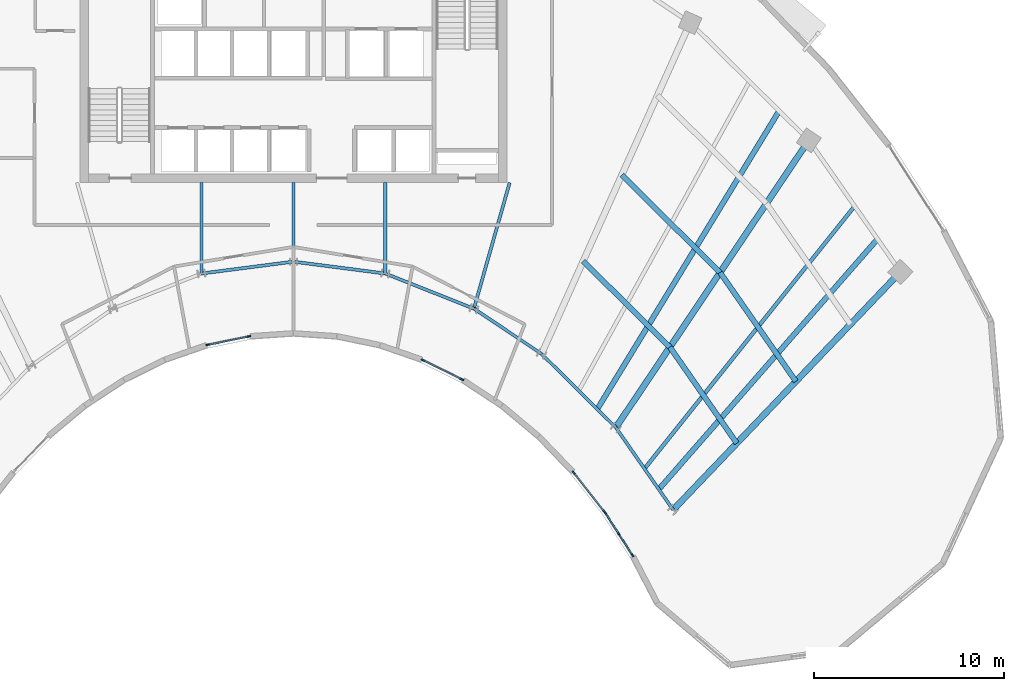
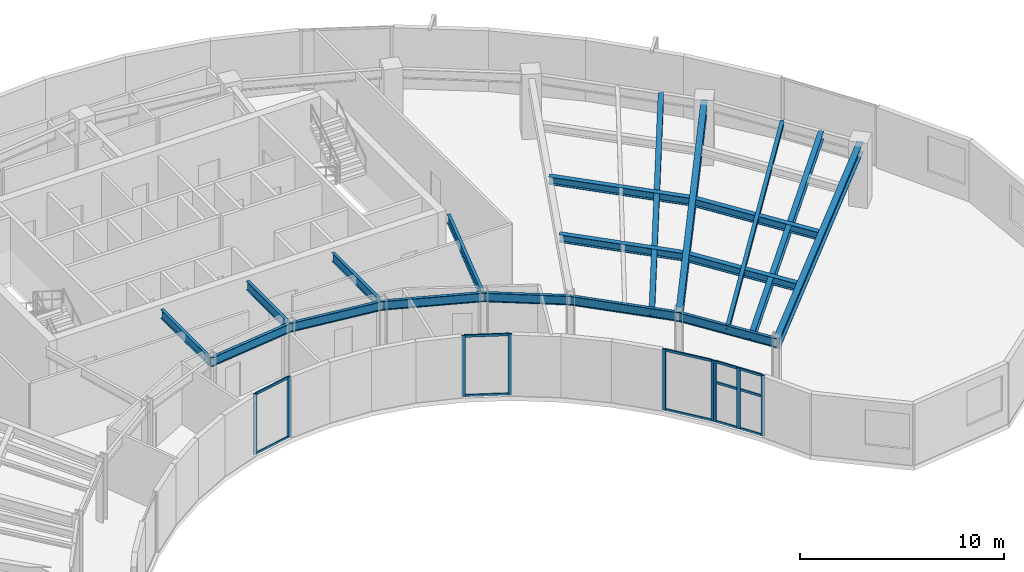
# One storey, part 3 of 13: 21 members, 19 beams, 4 elements without a shape of their own.
"""IFC4 building model written with IfcOpenShell, lengths in metres."""

from ifc_helpers import new_model, si_unit, direction, frame, origin, origin_2d, place, context, subcontext, project, spatial, rectangle, i_section, extrude, source, transform, mapped, material, layer, layer_set, material_profile, profile_set, type_object, type_shapes, element, aggregate, save


model = new_model("IFC4")

# Units and contexts
model_context = context("Model", 3, precision=1e-05, world=origin(), true_north=direction((0.0, 1.0)))
body_context = subcontext(model_context, "Body", "Model", "MODEL_VIEW")
ifc_project = project(units=[si_unit("LENGTHUNIT", "METRE"), si_unit("AREAUNIT", "SQUARE_METRE"), si_unit("VOLUMEUNIT", "CUBIC_METRE"), si_unit("PLANEANGLEUNIT", "RADIAN"), si_unit("MASSUNIT", "GRAM", prefix="KILO")], contexts=[model_context])

# Site, building, storey
site_placement = place(None, origin())
site = spatial("IfcSite", under=ifc_project, at=site_placement, CompositionType="ELEMENT")
building_placement = place(site_placement, origin())
building = spatial("IfcBuilding", under=site, at=building_placement, Name="Breltana Convention Tower", CompositionType="ELEMENT")
storey_placement = place(building_placement, frame((0.0, 0.0, 204.0)))
storey = spatial("IfcBuildingStorey", under=building, at=storey_placement, Name="L49", CompositionType="ELEMENT", Elevation=204.0)

# Beams
ifc_material_1 = material(Name="Steel ASTM A992 Grade 50", Category="steel")
ifc_material_profile_1 = material_profile(ifc_material_1, i_section(OverallWidth=0.280029296875, OverallDepth=0.462890625, WebThickness=0.0107421875, FlangeThickness=0.017333984375, at=origin_2d()), Name="W18X76")
ifc_profile_set_1 = profile_set([ifc_material_profile_1], Name="Steel ASTM A992 Grade 50")
beam_type_1 = type_object("IfcBeamType", Name="BM-JSG-06", PredefinedType="JOIST", material=ifc_profile_set_1)
shared_shape_1 = source(origin(), body_context, "Body", "SweptSolid", [
    extrude(i_section(OverallWidth=0.280029296875, OverallDepth=0.462890625, WebThickness=0.0107421875, FlangeThickness=0.017333984375, at=origin_2d()), origin(), (0.0, 0.0, 1.0), 6.435302734375),
])
beam_1_placement = place(storey_placement, frame((63.27392578125, 56.06298828125, 3.408447265625), z_axis=(0.710116389828, -0.704084308089, 0.0), x_axis=(0.704084308089, 0.710116389828, 0.0)))
element("IfcBeam", 1, at=beam_1_placement, inside=storey, type_object=beam_type_1, Name="L49 Composite Floor Joist 09.1", PredefinedType="JOIST", context=body_context, shape_type="MappedRepresentation", body=[
    mapped(shared_shape_1, transform((0.0, 0.0, 0.0), scale=1.0)),
])
shared_shape_2 = source(origin(), body_context, "Body", "SweptSolid", [
    extrude(i_section(OverallWidth=0.280029296875, OverallDepth=0.462890625, WebThickness=0.0107421875, FlangeThickness=0.017333984375, at=origin_2d()), origin(), (0.0, 0.0, 1.0), 7.29296875),
])
beam_2_placement = place(storey_placement, frame((65.309326171875, 60.602294921875, 3.408447265625), z_axis=(0.710096551013, -0.704104316305, 0.0), x_axis=(0.704104316305, 0.710096551013, 0.0)))
element("IfcBeam", 2, at=beam_2_placement, inside=storey, type_object=beam_type_1, Name="L49 Composite Floor Joist 09.2", PredefinedType="JOIST", context=body_context, shape_type="MappedRepresentation", body=[
    mapped(shared_shape_2, transform((0.0, 0.0, 0.0), scale=1.0)),
])
shared_shape_3 = source(origin(), body_context, "Body", "SweptSolid", [
    extrude(i_section(OverallWidth=0.280029296875, OverallDepth=0.462890625, WebThickness=0.0107421875, FlangeThickness=0.017333984375, at=origin_2d()), origin(), (0.0, 0.0, 1.0), 18.409423828125),
])
beam_3_placement = place(storey_placement, frame((64.017333984375, 48.263916015625, 3.408447265625), z_axis=(0.520682167606, 0.853750596098, 0.0), x_axis=(-0.853750596098, 0.520682167606, 0.0)))
element("IfcBeam", 3, at=beam_3_placement, inside=storey, type_object=beam_type_1, Name="L49 Quarter-Bay Radial Trimmer 09", PredefinedType="JOIST", context=body_context, shape_type="MappedRepresentation", body=[
    mapped(shared_shape_3, transform((0.0, 0.0, 0.0), scale=1.0)),
])
shared_shape_4 = source(origin(), body_context, "Body", "SweptSolid", [
    extrude(i_section(OverallWidth=0.280029296875, OverallDepth=0.462890625, WebThickness=0.0107421875, FlangeThickness=0.017333984375, at=origin_2d()), origin(), (0.0, 0.0, 1.0), 6.172119140625),
])
beam_4_placement = place(storey_placement, frame((67.84375, 51.531982421875, 3.408447265625), z_axis=(0.571211663392, -0.820802799462, 0.0), x_axis=(0.820802799462, 0.571211663392, 0.0)))
element("IfcBeam", 4, at=beam_4_placement, inside=storey, type_object=beam_type_1, Name="L49 Composite Floor Joist 10.1", PredefinedType="JOIST", context=body_context, shape_type="MappedRepresentation", body=[
    mapped(shared_shape_4, transform((0.0, 0.0, 0.0), scale=1.0)),
])
shared_shape_5 = source(origin(), body_context, "Body", "SweptSolid", [
    extrude(i_section(OverallWidth=0.280029296875, OverallDepth=0.462890625, WebThickness=0.0107421875, FlangeThickness=0.017333984375, at=origin_2d()), origin(), (0.0, 0.0, 1.0), 6.99462890625),
])
beam_5_placement = place(storey_placement, frame((70.488037109375, 55.46728515625, 3.408447265625), z_axis=(0.571206630732, -0.820806301759, 0.0), x_axis=(0.820806301759, 0.571206630732, 0.0)))
element("IfcBeam", 5, at=beam_5_placement, inside=storey, type_object=beam_type_1, Name="L49 Composite Floor Joist 10.2", PredefinedType="JOIST", context=body_context, shape_type="MappedRepresentation", body=[
    mapped(shared_shape_5, transform((0.0, 0.0, 0.0), scale=1.0)),
])
ifc_material_profile_2 = material_profile(ifc_material_1, i_section(OverallWidth=0.201904296875, OverallDepth=0.2470703125, WebThickness=0.00732421875, FlangeThickness=0.010986328125, at=origin_2d()), Name="W10X33")
ifc_profile_set_2 = profile_set([ifc_material_profile_2], Name="Steel ASTM A992 Grade 50")
beam_type_2 = type_object("IfcBeamType", Name="BM-JSG-11", PredefinedType="JOIST", material=ifc_profile_set_2)
shared_shape_6 = source(origin(), body_context, "Body", "SweptSolid", [
    extrude(i_section(OverallWidth=0.201904296875, OverallDepth=0.2470703125, WebThickness=0.00732421875, FlangeThickness=0.010986328125, at=origin_2d()), origin(), (0.0, 0.0, 1.0), 17.7236328125),
])
beam_6_placement = place(storey_placement, frame((66.505615234375, 45.124267578125, 3.5166015625), z_axis=(0.624829427563, 0.78076128647, 0.0), x_axis=(-0.78076128647, 0.624829427563, 0.0)))
element("IfcBeam", 6, at=beam_6_placement, inside=storey, type_object=beam_type_2, Name="L49 Mid-Bay Radial Trimmer 10", PredefinedType="JOIST", context=body_context, shape_type="MappedRepresentation", body=[
    mapped(shared_shape_6, transform((0.0, 0.0, 0.0), scale=1.0)),
])
shared_shape_7 = source(origin(), body_context, "Body", "SweptSolid", [
    extrude(i_section(OverallWidth=0.280029296875, OverallDepth=0.462890625, WebThickness=0.0107421875, FlangeThickness=0.017333984375, at=origin_2d()), origin(), (0.0, 0.0, 1.0), 17.515625),
])
beam_7_placement = place(storey_placement, frame((67.260498046875, 44.03955078125, 3.408447265625), z_axis=(0.658051548324, 0.752972881151, 0.0), x_axis=(-0.752972881151, 0.658051548324, 0.0)))
element("IfcBeam", 7, at=beam_7_placement, inside=storey, type_object=beam_type_1, Name="L49 Quarter-Bay Radial Trimmer 10", PredefinedType="JOIST", context=body_context, shape_type="MappedRepresentation", body=[
    mapped(shared_shape_7, transform((0.0, 0.0, 0.0), scale=1.0)),
])
ifc_material_profile_3 = material_profile(ifc_material_1, i_section(OverallWidth=0.166015625, OverallDepth=0.534912109375, WebThickness=0.01025390625, FlangeThickness=0.0166015625, at=origin_2d()), Name="W21X57")
ifc_profile_set_3 = profile_set([ifc_material_profile_3], Name="Steel ASTM A992 Grade 50")
beam_type_3 = type_object("IfcBeamType", Name="BM-BM-W21X57", PredefinedType="BEAM", material=ifc_profile_set_3)
shared_shape_8 = source(origin(), body_context, "Body", "SweptSolid", [
    extrude(i_section(OverallWidth=0.166015625, OverallDepth=0.534912109375, WebThickness=0.01025390625, FlangeThickness=0.0166015625, at=origin_2d()), origin(), (0.0, 0.0, 1.0), 6.904541015625),
])
type_shapes(beam_type_3, [shared_shape_8])
beam_8_placement = place(storey_placement, frame((59.39990234375, 60.199951171875, 3.37255859375), z_axis=(-0.273006781054, -0.962012108811, 0.0), x_axis=(0.962012108811, -0.273006781054, 0.0)))
element("IfcBeam", 8, at=beam_8_placement, inside=storey, type_object=beam_type_3, Name="L49 South Core Tie Girder R08", PredefinedType="BEAM", context=body_context, shape_type="MappedRepresentation", body=[
    mapped(shared_shape_8, transform((0.0, 0.0, 0.0), scale=1.0)),
])
shared_shape_9 = source(origin(), body_context, "Body", "SweptSolid", [
    extrude(i_section(OverallWidth=0.166015625, OverallDepth=0.534912109375, WebThickness=0.01025390625, FlangeThickness=0.0166015625, at=origin_2d()), origin(), (0.0, 0.0, 1.0), 4.789306640625),
])
for number, where, z_axis, x_axis, name in (
    (9, (43.153564453125, 60.199951171875, 3.37255859375), (0.0, -1.0, 0.0), (1.0, 0.0, 0.0), "L49 South Core Tie Girder R05"),
    (10, (52.846435546875, 60.199951171875, 3.37255859375), (0.0, -1.0, 0.0), (1.0, 0.0, 0.0), "L49 South Core Tie Girder R07"),
):
    element("IfcBeam", number, at=place(storey_placement, frame(where, z_axis=z_axis, x_axis=x_axis)), inside=storey, type_object=beam_type_3, Name=name, PredefinedType="BEAM", context=body_context, shape_type="MappedRepresentation", body=[
        mapped(shared_shape_9, transform((0.0, 0.0, 0.0), scale=1.0)),
    ])
shared_shape_10 = source(origin(), body_context, "Body", "SweptSolid", [
    extrude(i_section(OverallWidth=0.166015625, OverallDepth=0.534912109375, WebThickness=0.01025390625, FlangeThickness=0.0166015625, at=origin_2d()), origin(), (0.0, 0.0, 1.0), 4.1640625),
])
beam_9_placement = place(storey_placement, frame((48.0, 60.199951171875, 3.37255859375), z_axis=(0.0, -1.0, 0.0), x_axis=(1.0, 0.0, 0.0)))
element("IfcBeam", 11, at=beam_9_placement, inside=storey, type_object=beam_type_3, Name="L49 South Core Tie Girder R06", PredefinedType="BEAM", context=body_context, shape_type="MappedRepresentation", body=[
    mapped(shared_shape_10, transform((0.0, 0.0, 0.0), scale=1.0)),
])
shared_shape_11 = source(origin(), body_context, "Body", "SweptSolid", [
    extrude(i_section(OverallWidth=0.166015625, OverallDepth=0.534912109375, WebThickness=0.01025390625, FlangeThickness=0.0166015625, at=origin_2d()), origin(), (0.0, 0.0, 1.0), 5.022705078125),
])
beam_10_placement = place(storey_placement, frame((52.846435546875, 55.41064453125, 3.37255859375), z_axis=(0.929458966248, -0.368925507469, 0.0), x_axis=(0.368925507469, 0.929458966248, 0.0)))
element("IfcBeam", 12, at=beam_10_placement, inside=storey, type_object=beam_type_3, Name="L49 Inner Ring Beam 07", PredefinedType="BEAM", context=body_context, shape_type="MappedRepresentation", body=[
    mapped(shared_shape_11, transform((0.0, 0.0, 0.0), scale=1.0)),
])
shared_shape_12 = source(origin(), body_context, "Body", "SweptSolid", [
    extrude(i_section(OverallWidth=0.166015625, OverallDepth=0.534912109375, WebThickness=0.01025390625, FlangeThickness=0.0166015625, at=origin_2d()), origin(), (0.0, 0.0, 1.0), 4.88671875),
])
for number, where, z_axis, x_axis, name in (
    (13, (43.153564453125, 55.41064453125, 3.37255859375), (0.991780525565, 0.127950729231, 0.0), (-0.127950729231, 0.991780525565, 0.0), "L49 Inner Ring Beam 05"),
    (14, (48.0, 56.035888671875, 3.37255859375), (0.991780525565, -0.127950729231, 0.0), (0.127950729231, 0.991780525565, 0.0), "L49 Inner Ring Beam 06"),
):
    element("IfcBeam", number, at=place(storey_placement, frame(where, z_axis=z_axis, x_axis=x_axis)), inside=storey, type_object=beam_type_3, Name=name, PredefinedType="BEAM", context=body_context, shape_type="MappedRepresentation", body=[
        mapped(shared_shape_12, transform((0.0, 0.0, 0.0), scale=1.0)),
    ])
shared_shape_13 = source(origin(), body_context, "Body", "SweptSolid", [
    extrude(i_section(OverallWidth=0.166015625, OverallDepth=0.534912109375, WebThickness=0.01025390625, FlangeThickness=0.0166015625, at=origin_2d()), origin(), (0.0, 0.0, 1.0), 4.2900390625),
])
beam_11_placement = place(storey_placement, frame((57.514892578125, 53.5576171875, 3.37255859375), z_axis=(0.831515827753, -0.555501060482, 0.0), x_axis=(0.555501060482, 0.831515827753, 0.0)))
element("IfcBeam", 15, at=beam_11_placement, inside=storey, type_object=beam_type_3, Name="L49 Inner Ring Beam 08", PredefinedType="BEAM", context=body_context, shape_type="MappedRepresentation", body=[
    mapped(shared_shape_13, transform((0.0, 0.0, 0.0), scale=1.0)),
])
shared_shape_14 = source(origin(), body_context, "Body", "SweptSolid", [
    extrude(i_section(OverallWidth=0.166015625, OverallDepth=0.534912109375, WebThickness=0.01025390625, FlangeThickness=0.0166015625, at=origin_2d()), origin(), (0.0, 0.0, 1.0), 5.51171875),
])
beam_12_placement = place(storey_placement, frame((61.08203125, 51.174560546875, 3.37255859375), z_axis=(0.710090360749, -0.704110559196, 0.0), x_axis=(0.704110559196, 0.710090360749, 0.0)))
element("IfcBeam", 16, at=beam_12_placement, inside=storey, type_object=beam_type_3, Name="L49 Inner Ring Beam 09", PredefinedType="BEAM", context=body_context, shape_type="MappedRepresentation", body=[
    mapped(shared_shape_14, transform((0.0, 0.0, 0.0), scale=1.0)),
])
shared_shape_15 = source(origin(), body_context, "Body", "SweptSolid", [
    extrude(i_section(OverallWidth=0.166015625, OverallDepth=0.534912109375, WebThickness=0.01025390625, FlangeThickness=0.0166015625, at=origin_2d()), origin(), (0.0, 0.0, 1.0), 5.286376953125),
])
beam_13_placement = place(storey_placement, frame((64.995849609375, 47.293701171875, 3.37255859375), z_axis=(0.571194382458, -0.82081482531, 0.0), x_axis=(0.82081482531, 0.571194382458, 0.0)))
element("IfcBeam", 17, at=beam_13_placement, inside=storey, type_object=beam_type_3, Name="L49 Inner Ring Beam 10", PredefinedType="BEAM", context=body_context, shape_type="MappedRepresentation", body=[
    mapped(shared_shape_15, transform((0.0, 0.0, 0.0), scale=1.0)),
])
ifc_material_profile_4 = material_profile(ifc_material_1, i_section(OverallWidth=0.326904296875, OverallDepth=0.6220703125, WebThickness=0.015380859375, FlangeThickness=0.0244140625, at=origin_2d()), Name="W24X131")
ifc_profile_set_4 = profile_set([ifc_material_profile_4], Name="Steel ASTM A992 Grade 50")
beam_type_4 = type_object("IfcBeamType", Name="BM-RG-W24X131", PredefinedType="USERDEFINED", material=ifc_profile_set_4)
shared_shape_16 = source(origin(), body_context, "Body", "SweptSolid", [
    extrude(i_section(OverallWidth=0.326904296875, OverallDepth=0.6220703125, WebThickness=0.015380859375, FlangeThickness=0.0244140625, at=origin_2d()), origin(), (0.0, 0.0, 1.0), 17.341064453125),
])
type_shapes(beam_type_4, [shared_shape_16])
beam_14_placement = place(storey_placement, frame((68.015380859375, 42.95458984375, 3.3291015625), z_axis=(0.690716462293, 0.723125693581, 0.0), x_axis=(-0.723125693581, 0.690716462293, 0.0)))
element("IfcBeam", 18, at=beam_14_placement, inside=storey, type_object=beam_type_4, Name="L49 Radial Floor Girder R11", ObjectType="GIRDER", PredefinedType="USERDEFINED", context=body_context, shape_type="MappedRepresentation", body=[
    mapped(shared_shape_16, transform((0.0, 0.0, 0.0), scale=1.0)),
])
shared_shape_17 = source(origin(), body_context, "Body", "SweptSolid", [
    extrude(i_section(OverallWidth=0.326904296875, OverallDepth=0.6220703125, WebThickness=0.015380859375, FlangeThickness=0.0244140625, at=origin_2d()), origin(), (0.0, 0.0, 1.0), 18.236328125),
])
beam_15_placement = place(storey_placement, frame((64.995849609375, 47.293701171875, 3.3291015625), z_axis=(0.557730360975, 0.830022195153, 0.0), x_axis=(-0.830022195153, 0.557730360975, 0.0)))
element("IfcBeam", 19, at=beam_15_placement, inside=storey, type_object=beam_type_4, Name="L49 Radial Floor Girder R10", ObjectType="GIRDER", PredefinedType="USERDEFINED", context=body_context, shape_type="MappedRepresentation", body=[
    mapped(shared_shape_17, transform((0.0, 0.0, 0.0), scale=1.0)),
])

# Curtain wall, members
ifc_material_2 = material(Name="Aluminium Anodised Bronze Frame", Category="aluminium")
ifc_layer = layer(ifc_material_2, 0.18994140625, Name="Aluminium Anodised Bronze Frame")
ifc_layer_set = layer_set([ifc_layer], Name="Aluminium Anodised Bronze Frame")
curtain_wall_type = type_object("IfcCurtainWallType", Name="CW-SYS-1", PredefinedType="NOTDEFINED", material=ifc_layer_set)
curtain_wall_1_placement = place(storey_placement, origin())
curtain_wall_1 = element("IfcCurtainWall", 20, at=curtain_wall_1_placement, inside=storey, type_object=curtain_wall_type, Name="L49 inner south-court glazing 1", PredefinedType="NOTDEFINED")
ifc_material_3 = material(Name="Aluminium Anodised Bronze", Category="aluminium")
ifc_material_profile_5 = material_profile(ifc_material_3, rectangle(XDim=0.080078125, YDim=0.139892578125, at=origin_2d()), Name="CWT-80X140")
ifc_profile_set_5 = profile_set([ifc_material_profile_5], Name="Aluminium Anodised Bronze")
member_type_1 = type_object("IfcMemberType", Name="CWT-140", PredefinedType="USERDEFINED", material=ifc_profile_set_5)
shared_shape_18 = source(origin(), body_context, "Body", "SweptSolid", [
    extrude(rectangle(XDim=0.080078125, YDim=0.139892578125, at=origin_2d()), origin(), (0.0, 0.0, 1.0), 1.251220703125),
])
member_1_placement = place(storey_placement, frame((65.84716796875, 40.6025390625, 0.0400390625), z_axis=(-0.540116397582, 0.841590326146, 0.0), x_axis=(-0.841590326146, -0.540116397582, 0.0)))
member_1 = element("IfcMember", 21, at=member_1_placement, type_object=member_type_1, Name="CW-01 transom 1.1", ObjectType="TRANSOM", PredefinedType="USERDEFINED", context=body_context, shape_type="MappedRepresentation", body=[
    mapped(shared_shape_18, transform((0.0, 0.0, 0.0), scale=1.0)),
])
member_2_placement = place(storey_placement, frame((65.84716796875, 40.6025390625, 2.365966796875), z_axis=(-0.540116397582, 0.841590326146, 0.0), x_axis=(-0.841590326146, -0.540116397582, 0.0)))
member_2 = element("IfcMember", 22, at=member_2_placement, type_object=member_type_1, Name="CW-01 transom 1.2", ObjectType="TRANSOM", PredefinedType="USERDEFINED", context=body_context, shape_type="MappedRepresentation", body=[
    mapped(shared_shape_18, transform((0.0, 0.0, 0.0), scale=1.0)),
])
member_3_placement = place(storey_placement, frame((65.84716796875, 40.6025390625, 3.60009765625), z_axis=(-0.540116397582, 0.841590326146, 0.0), x_axis=(-0.841590326146, -0.540116397582, 0.0)))
member_3 = element("IfcMember", 23, at=member_3_placement, type_object=member_type_1, Name="CW-01 transom 1.3", ObjectType="TRANSOM", PredefinedType="USERDEFINED", context=body_context, shape_type="MappedRepresentation", body=[
    mapped(shared_shape_18, transform((0.0, 0.0, 0.0), scale=1.0)),
])
shared_shape_19 = source(origin(), body_context, "Body", "SweptSolid", [
    extrude(rectangle(XDim=0.080078125, YDim=0.139892578125, at=origin_2d()), origin(), (0.0, 0.0, 1.0), 1.2509765625),
])
member_4_placement = place(storey_placement, frame((65.128173828125, 41.722900390625, 0.0400390625), z_axis=(-0.54020510624, 0.841533388044, 0.0), x_axis=(-0.841533388044, -0.54020510624, 0.0)))
member_4 = element("IfcMember", 24, at=member_4_placement, type_object=member_type_1, Name="CW-01 transom 2.1", ObjectType="TRANSOM", PredefinedType="USERDEFINED", context=body_context, shape_type="MappedRepresentation", body=[
    mapped(shared_shape_19, transform((0.0, 0.0, 0.0), scale=1.0)),
])
member_5_placement = place(storey_placement, frame((65.128173828125, 41.722900390625, 2.365966796875), z_axis=(-0.54020510624, 0.841533388044, 0.0), x_axis=(-0.841533388044, -0.54020510624, 0.0)))
member_5 = element("IfcMember", 25, at=member_5_placement, type_object=member_type_1, Name="CW-01 transom 2.2", ObjectType="TRANSOM", PredefinedType="USERDEFINED", context=body_context, shape_type="MappedRepresentation", body=[
    mapped(shared_shape_19, transform((0.0, 0.0, 0.0), scale=1.0)),
])
member_6_placement = place(storey_placement, frame((65.128173828125, 41.722900390625, 3.60009765625), z_axis=(-0.54020510624, 0.841533388044, 0.0), x_axis=(-0.841533388044, -0.54020510624, 0.0)))
member_6 = element("IfcMember", 26, at=member_6_placement, type_object=member_type_1, Name="CW-01 transom 2.3", ObjectType="TRANSOM", PredefinedType="USERDEFINED", context=body_context, shape_type="MappedRepresentation", body=[
    mapped(shared_shape_19, transform((0.0, 0.0, 0.0), scale=1.0)),
])

curtain_wall_2_placement = place(storey_placement, origin())
curtain_wall_2 = element("IfcCurtainWall", 27, at=curtain_wall_2_placement, inside=storey, type_object=curtain_wall_type, Name="L49 inner south-court glazing 2", PredefinedType="NOTDEFINED")
shared_shape_20 = source(origin(), body_context, "Body", "SweptSolid", [
    extrude(rectangle(XDim=0.080078125, YDim=0.139892578125, at=origin_2d()), origin(), (0.0, 0.0, 1.0), 2.505859375),
])
member_7_placement = place(storey_placement, frame((64.349853515625, 42.919921875, 0.0400390625), z_axis=(-0.618174316854, 0.786041038357, 0.0), x_axis=(-0.786041038357, -0.618174316854, 0.0)))
member_7 = element("IfcMember", 28, at=member_7_placement, type_object=member_type_1, Name="CW-01 transom 1.1", ObjectType="TRANSOM", PredefinedType="USERDEFINED", context=body_context, shape_type="MappedRepresentation", body=[
    mapped(shared_shape_20, transform((0.0, 0.0, 0.0), scale=1.0)),
])
member_8_placement = place(storey_placement, frame((64.349853515625, 42.919921875, 3.60009765625), z_axis=(-0.618174316854, 0.786041038357, 0.0), x_axis=(-0.786041038357, -0.618174316854, 0.0)))
member_8 = element("IfcMember", 29, at=member_8_placement, type_object=member_type_1, Name="CW-01 transom 1.2", ObjectType="TRANSOM", PredefinedType="USERDEFINED", context=body_context, shape_type="MappedRepresentation", body=[
    mapped(shared_shape_20, transform((0.0, 0.0, 0.0), scale=1.0)),
])

# Member
ifc_material_profile_6 = material_profile(ifc_material_3, rectangle(XDim=0.080078125, YDim=0.199951171875, at=origin_2d()), Name="CWM-80X200")
ifc_profile_set_6 = profile_set([ifc_material_profile_6], Name="Aluminium Anodised Bronze")
member_type_2 = type_object("IfcMemberType", Name="CWM-200", PredefinedType="MULLION", material=ifc_profile_set_6)
shared_shape_21 = source(origin(), body_context, "Body", "SweptSolid", [
    extrude(rectangle(XDim=0.080078125, YDim=0.199951171875, at=origin_2d()), origin(), (0.0, 0.0, 1.0), 3.639892578125),
])
member_9_placement = place(storey_placement, frame((65.868896484375, 40.56884765625, 0.0), z_axis=(0.0, 0.0, 1.0), x_axis=(-0.841546766968, -0.540184263938, 0.0)))
member_9 = element("IfcMember", 30, at=member_9_placement, type_object=member_type_2, Name="CW-01 mullion 1", PredefinedType="MULLION", context=body_context, shape_type="MappedRepresentation", body=[
    mapped(shared_shape_21, transform((0.0, 0.0, 0.0), scale=1.0)),
])

member_10_placement = place(storey_placement, frame((65.14990234375, 41.689208984375, 0.0), z_axis=(0.0, 0.0, 1.0), x_axis=(-0.841546766968, -0.540184263938, 0.0)))
member_10 = element("IfcMember", 31, at=member_10_placement, type_object=member_type_2, Name="CW-01 mullion 2", PredefinedType="MULLION", context=body_context, shape_type="MappedRepresentation", body=[
    mapped(shared_shape_21, transform((0.0, 0.0, 0.0), scale=1.0)),
])

member_11_placement = place(storey_placement, frame((64.430908203125, 42.809326171875, 0.0), z_axis=(0.0, 0.0, 1.0), x_axis=(-0.841546766968, -0.540184263938, 0.0)))
member_11 = element("IfcMember", 32, at=member_11_placement, type_object=member_type_2, Name="CW-01 mullion 3", PredefinedType="MULLION", context=body_context, shape_type="MappedRepresentation", body=[
    mapped(shared_shape_21, transform((0.0, 0.0, 0.0), scale=1.0)),
])

aggregate(curtain_wall_1, [member_9, member_10, member_11, member_1, member_2, member_3, member_4, member_5, member_6])

member_12_placement = place(storey_placement, frame((64.37451171875, 42.888427734375, 0.0), z_axis=(0.0, 0.0, 1.0), x_axis=(-0.786060526937, -0.6181495353, 0.0)))
member_12 = element("IfcMember", 33, at=member_12_placement, type_object=member_type_2, Name="CW-01 mullion 1", PredefinedType="MULLION", context=body_context, shape_type="MappedRepresentation", body=[
    mapped(shared_shape_21, transform((0.0, 0.0, 0.0), scale=1.0)),
])

member_13_placement = place(storey_placement, frame((62.776123046875, 44.921142578125, 0.0), z_axis=(0.0, 0.0, 1.0), x_axis=(-0.786060526937, -0.6181495353, 0.0)))
member_13 = element("IfcMember", 34, at=member_13_placement, type_object=member_type_2, Name="CW-01 mullion 2", PredefinedType="MULLION", context=body_context, shape_type="MappedRepresentation", body=[
    mapped(shared_shape_21, transform((0.0, 0.0, 0.0), scale=1.0)),
])

aggregate(curtain_wall_2, [member_12, member_13, member_7, member_8])

# Curtain wall, members
curtain_wall_3_placement = place(storey_placement, origin())
curtain_wall_3 = element("IfcCurtainWall", 35, at=curtain_wall_3_placement, inside=storey, type_object=curtain_wall_type, Name="L49 inner south-court glazing 3", PredefinedType="NOTDEFINED")
member_14_placement = place(storey_placement, frame((56.88818359375, 49.829345703125, 0.0), z_axis=(0.0, 0.0, 1.0), x_axis=(-0.444132591932, -0.89596107102, 0.0)))
member_14 = element("IfcMember", 36, at=member_14_placement, type_object=member_type_2, Name="CW-01 mullion 1", PredefinedType="MULLION", context=body_context, shape_type="MappedRepresentation", body=[
    mapped(shared_shape_21, transform((0.0, 0.0, 0.0), scale=1.0)),
])
member_15_placement = place(storey_placement, frame((54.829345703125, 50.849853515625, 0.0), z_axis=(0.0, 0.0, 1.0), x_axis=(-0.444132591932, -0.89596107102, 0.0)))
member_15 = element("IfcMember", 37, at=member_15_placement, type_object=member_type_2, Name="CW-01 mullion 2", PredefinedType="MULLION", context=body_context, shape_type="MappedRepresentation", body=[
    mapped(shared_shape_21, transform((0.0, 0.0, 0.0), scale=1.0)),
])

curtain_wall_4_placement = place(storey_placement, origin())
curtain_wall_4 = element("IfcCurtainWall", 38, at=curtain_wall_4_placement, inside=storey, type_object=curtain_wall_type, Name="L49 inner south-court glazing 4", PredefinedType="NOTDEFINED")
member_16_placement = place(storey_placement, frame((45.656005859375, 52.09716796875, 0.0), z_axis=(0.0, 0.0, 1.0), x_axis=(0.200853973352, -0.979621192803, 0.0)))
member_16 = element("IfcMember", 39, at=member_16_placement, type_object=member_type_2, Name="CW-01 mullion 1", PredefinedType="MULLION", context=body_context, shape_type="MappedRepresentation", body=[
    mapped(shared_shape_21, transform((0.0, 0.0, 0.0), scale=1.0)),
])
member_17_placement = place(storey_placement, frame((43.48876953125, 51.65283203125, 0.0), z_axis=(0.0, 0.0, 1.0), x_axis=(0.200853973352, -0.979621192803, 0.0)))
member_17 = element("IfcMember", 40, at=member_17_placement, type_object=member_type_2, Name="CW-01 mullion 2", PredefinedType="MULLION", context=body_context, shape_type="MappedRepresentation", body=[
    mapped(shared_shape_21, transform((0.0, 0.0, 0.0), scale=1.0)),
])

# Member
shared_shape_22 = source(origin(), body_context, "Body", "SweptSolid", [
    extrude(rectangle(XDim=0.080078125, YDim=0.139892578125, at=origin_2d()), origin(), (0.0, 0.0, 1.0), 2.218017578125),
])
member_18_placement = place(storey_placement, frame((56.852294921875, 49.84716796875, 0.0400390625), z_axis=(-0.895962849302, 0.444129004537, 0.0), x_axis=(-0.444129004537, -0.895962849302, 0.0)))
member_18 = element("IfcMember", 41, at=member_18_placement, type_object=member_type_1, Name="CW-01 transom 1.1", ObjectType="TRANSOM", PredefinedType="USERDEFINED", context=body_context, shape_type="MappedRepresentation", body=[
    mapped(shared_shape_22, transform((0.0, 0.0, 0.0), scale=1.0)),
])

member_19_placement = place(storey_placement, frame((56.852294921875, 49.84716796875, 3.60009765625), z_axis=(-0.895962849302, 0.444129004537, 0.0), x_axis=(-0.444129004537, -0.895962849302, 0.0)))
member_19 = element("IfcMember", 42, at=member_19_placement, type_object=member_type_1, Name="CW-01 transom 1.2", ObjectType="TRANSOM", PredefinedType="USERDEFINED", context=body_context, shape_type="MappedRepresentation", body=[
    mapped(shared_shape_22, transform((0.0, 0.0, 0.0), scale=1.0)),
])

aggregate(curtain_wall_3, [member_14, member_15, member_18, member_19])

shared_shape_23 = source(origin(), body_context, "Body", "SweptSolid", [
    extrude(rectangle(XDim=0.080078125, YDim=0.139892578125, at=origin_2d()), origin(), (0.0, 0.0, 1.0), 2.132080078125),
])
member_20_placement = place(storey_placement, frame((45.61669921875, 52.089111328125, 0.0400390625), z_axis=(-0.97962234667, -0.200848345536, 0.0), x_axis=(0.200848345536, -0.97962234667, 0.0)))
member_20 = element("IfcMember", 43, at=member_20_placement, type_object=member_type_1, Name="CW-01 transom 1.1", ObjectType="TRANSOM", PredefinedType="USERDEFINED", context=body_context, shape_type="MappedRepresentation", body=[
    mapped(shared_shape_23, transform((0.0, 0.0, 0.0), scale=1.0)),
])

member_21_placement = place(storey_placement, frame((45.61669921875, 52.089111328125, 3.60009765625), z_axis=(-0.97962234667, -0.200848345536, 0.0), x_axis=(0.200848345536, -0.97962234667, 0.0)))
member_21 = element("IfcMember", 44, at=member_21_placement, type_object=member_type_1, Name="CW-01 transom 1.2", ObjectType="TRANSOM", PredefinedType="USERDEFINED", context=body_context, shape_type="MappedRepresentation", body=[
    mapped(shared_shape_23, transform((0.0, 0.0, 0.0), scale=1.0)),
])

aggregate(curtain_wall_4, [member_16, member_17, member_20, member_21])

save(model, "model.ifc")
